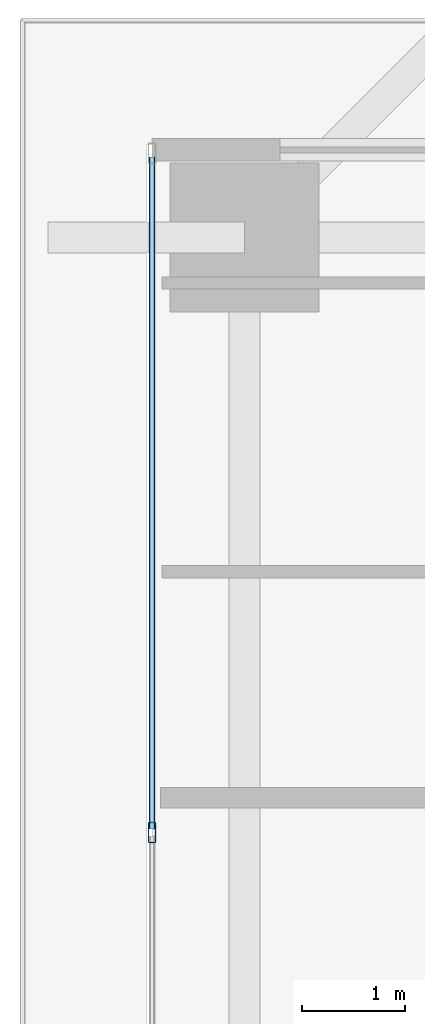
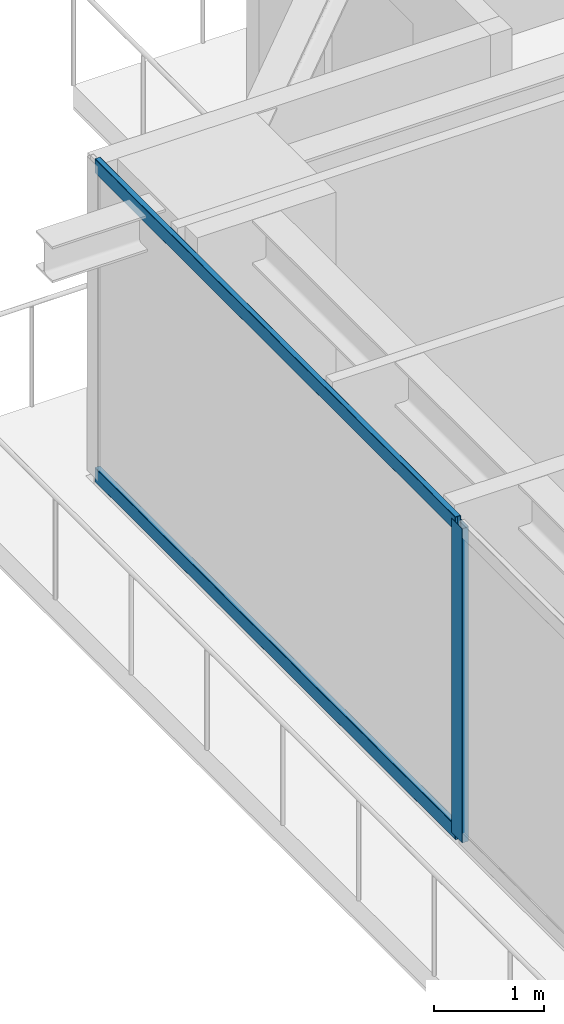
# One storey, part 16 of 37: 3 members, 1 element without a shape of its own.
"""IFC4 building model written with IfcOpenShell, lengths in metres."""

from ifc_helpers import new_model, si_unit, direction, frame, origin, origin_2d, place, context, subcontext, project, spatial, hollow_rectangle, extrude, source, transform, mapped, material, layer, layer_set, material_profile, profile_set, type_object, element, aggregate, save


model = new_model("IFC4")

# Units and contexts
model_context = context("Model", 3, precision=1e-05, world=origin(), true_north=direction((0.0, 1.0)))
body_context = subcontext(model_context, "Body", "Model", "MODEL_VIEW")
ifc_project = project(units=[si_unit("LENGTHUNIT", "METRE"), si_unit("AREAUNIT", "SQUARE_METRE"), si_unit("VOLUMEUNIT", "CUBIC_METRE"), si_unit("PLANEANGLEUNIT", "RADIAN"), si_unit("MASSUNIT", "GRAM", prefix="KILO")], contexts=[model_context])

# Site, building, storey
site_placement = place(None, origin())
site = spatial("IfcSite", under=ifc_project, at=site_placement, CompositionType="ELEMENT")
building_placement = place(site_placement, origin())
building = spatial("IfcBuilding", under=site, at=building_placement, Name="Serunith Strait Residences", CompositionType="ELEMENT")
storey_placement = place(building_placement, frame((0.0, 0.0, 34.199951171875)))
storey = spatial("IfcBuildingStorey", under=building, at=storey_placement, Name="L07", CompositionType="ELEMENT", Elevation=34.199951171875)

# Curtain wall, members
ifc_material = material(Name="Pale-Champagne Anodised Aluminium", Category="aluminium")
ifc_layer = layer(ifc_material, 0.199951171875, Name="Pale-Champagne Anodised Aluminium")
ifc_layer_set = layer_set([ifc_layer], Name="Pale-Champagne Anodised Aluminium")
curtain_wall_type = type_object("IfcCurtainWallType", Name="CW-SYS1", PredefinedType="NOTDEFINED", material=ifc_layer_set)
curtain_wall_placement = place(storey_placement, origin())
curtain_wall = element("IfcCurtainWall", 1, at=curtain_wall_placement, inside=storey, type_object=curtain_wall_type, Name="L07 W Unitised Fritted Curtain Wall", PredefinedType="NOTDEFINED")
ifc_material_profile_1 = material_profile(ifc_material, hollow_rectangle(XDim=0.070068359375, YDim=0.199951171875, WallThickness=0.00390625, InnerFilletRadius=0.006103515625, OuterFilletRadius=0.010009765625, at=origin_2d()), Name="ALU 200x70x4")
ifc_profile_set_1 = profile_set([ifc_material_profile_1], Name="Pale-Champagne Anodised Aluminium")
member_type_1 = type_object("IfcMemberType", Name="CW-SYS1-MULL", PredefinedType="MULLION", material=ifc_profile_set_1)
shared_shape_1 = source(origin(), body_context, "Body", "SweptSolid", [
    extrude(hollow_rectangle(XDim=0.070068359375, YDim=0.199951171875, WallThickness=0.00390625, InnerFilletRadius=0.006103515625, OuterFilletRadius=0.010009765625, at=origin_2d()), origin(), (0.0, 0.0, 1.0), 3.47509765625),
])
member_1_placement = place(storey_placement, frame((6.0, 35.159912109375, 0.0), z_axis=(0.0, 0.0, 1.0), x_axis=(1.0, 0.0, 0.0)))
member_1 = element("IfcMember", 2, at=member_1_placement, type_object=member_type_1, Name="CW-1 mullion 2", PredefinedType="MULLION", context=body_context, shape_type="MappedRepresentation", body=[
    mapped(shared_shape_1, transform((0.0, 0.0, 0.0), scale=1.0)),
])
ifc_material_profile_2 = material_profile(ifc_material, hollow_rectangle(XDim=0.06005859375, YDim=0.159912109375, WallThickness=0.00341796875, InnerFilletRadius=0.00537109375, OuterFilletRadius=0.0087890625, at=origin_2d()), Name="ALU 160x60x3.5")
ifc_profile_set_2 = profile_set([ifc_material_profile_2], Name="Pale-Champagne Anodised Aluminium")
member_type_2 = type_object("IfcMemberType", Name="CW-SYS1-TRAN", PredefinedType="USERDEFINED", material=ifc_profile_set_2)
shared_shape_2 = source(origin(), body_context, "Body", "SweptSolid", [
    extrude(hollow_rectangle(XDim=0.06005859375, YDim=0.159912109375, WallThickness=0.00341796875, InnerFilletRadius=0.00537109375, OuterFilletRadius=0.0087890625, at=origin_2d()), origin(), (0.0, 0.0, 1.0), 6.534912109375),
])
member_2_placement = place(storey_placement, frame((6.0, 41.72998046875, 0.030029296875), z_axis=(0.0, -1.0, 0.0), x_axis=(1.0, 0.0, 0.0)))
member_2 = element("IfcMember", 3, at=member_2_placement, type_object=member_type_2, Name="CW-1 transom 1.1", ObjectType="TRANSOM", PredefinedType="USERDEFINED", context=body_context, shape_type="MappedRepresentation", body=[
    mapped(shared_shape_2, transform((0.0, 0.0, 0.0), scale=1.0)),
])
member_3_placement = place(storey_placement, frame((6.0, 41.72998046875, 3.445068359375), z_axis=(0.0, -1.0, 0.0), x_axis=(1.0, 0.0, 0.0)))
member_3 = element("IfcMember", 4, at=member_3_placement, type_object=member_type_2, Name="CW-1 transom 1.2", ObjectType="TRANSOM", PredefinedType="USERDEFINED", context=body_context, shape_type="MappedRepresentation", body=[
    mapped(shared_shape_2, transform((0.0, 0.0, 0.0), scale=1.0)),
])
aggregate(curtain_wall, [member_1, member_2, member_3])

save(model, "model.ifc")
